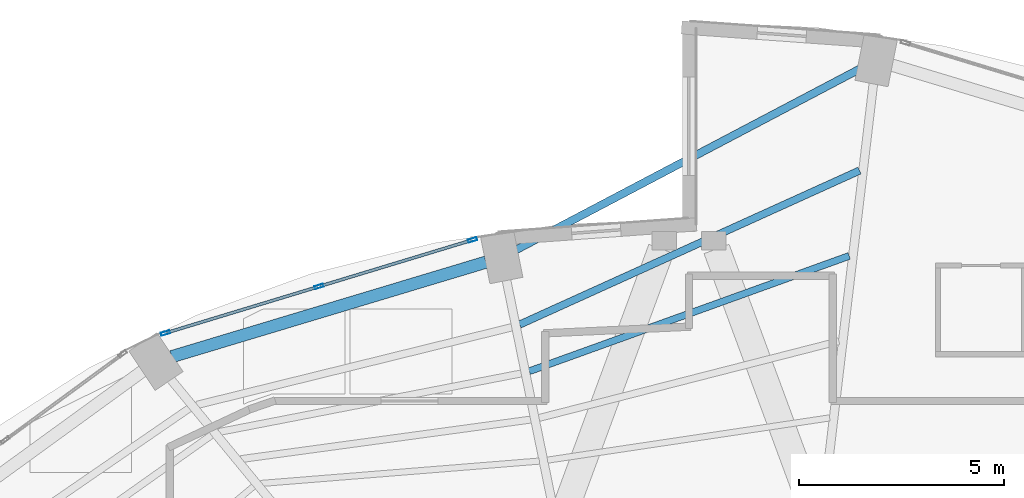
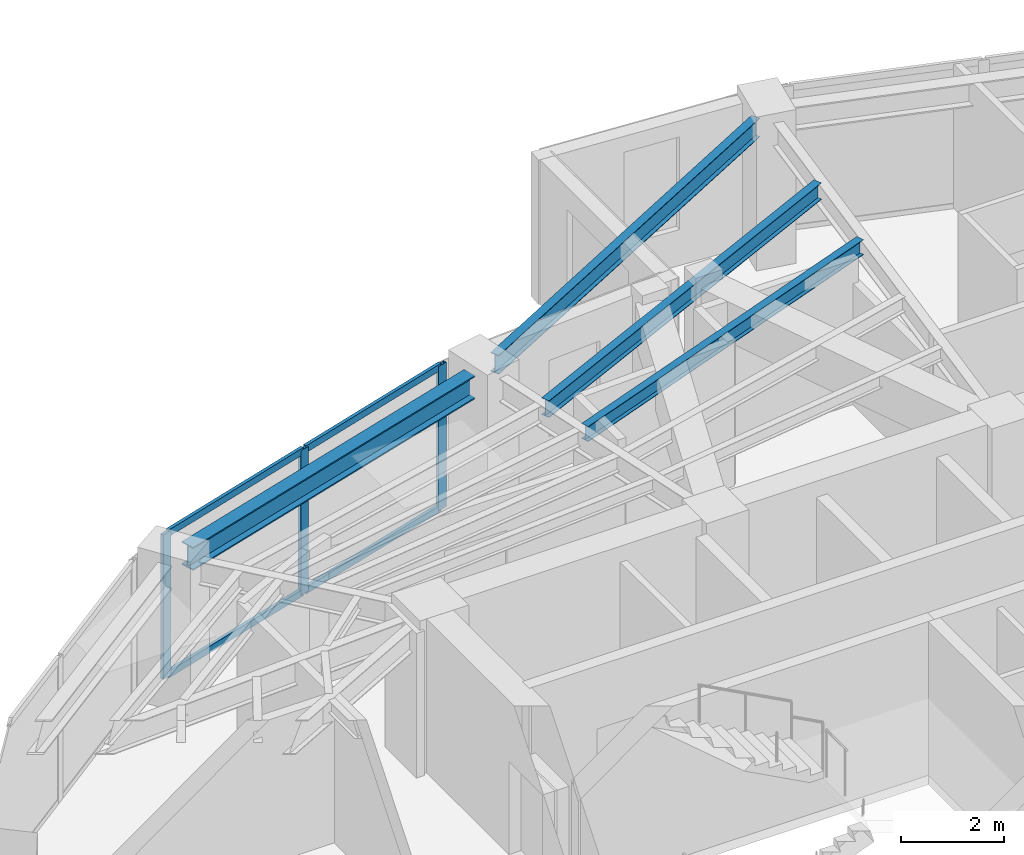
# One storey, part 12 of 19: 7 members, 4 beams, 1 element without a shape of its own.
"""IFC4 building model written with IfcOpenShell, lengths in metres."""

from ifc_helpers import new_model, si_unit, direction, frame, origin, origin_2d, place, context, subcontext, project, spatial, hollow_rectangle, i_section, extrude, material, layer, layer_set, material_profile, profile_set, type_object, element, aggregate, save


model = new_model("IFC4")

# Units and contexts
model_context = context("Model", 3, precision=1e-05, world=origin(), true_north=direction((0.0, 1.0)))
body_context = subcontext(model_context, "Body", "Model", "MODEL_VIEW")
ifc_project = project(units=[si_unit("LENGTHUNIT", "METRE"), si_unit("AREAUNIT", "SQUARE_METRE"), si_unit("VOLUMEUNIT", "CUBIC_METRE"), si_unit("PLANEANGLEUNIT", "RADIAN"), si_unit("MASSUNIT", "GRAM", prefix="KILO")], contexts=[model_context])

# Site, building, storey
site_placement = place(None, origin())
site = spatial("IfcSite", under=ifc_project, at=site_placement, CompositionType="ELEMENT")
building_placement = place(site_placement, origin())
building = spatial("IfcBuilding", under=site, at=building_placement, Name="Lazwardi Medical Tower", CompositionType="ELEMENT")
storey_placement = place(building_placement, frame((0.0, 0.0, 163.823974609375)))
storey = spatial("IfcBuildingStorey", under=building, at=storey_placement, Name="L42", CompositionType="ELEMENT", Elevation=163.823974609375)

# Beams
ifc_material_1 = material(Name="Steel S355", Category="steel")
ifc_material_profile_1 = material_profile(ifc_material_1, i_section(OverallWidth=0.300048828125, OverallDepth=0.550048828125, WebThickness=0.014892578125, FlangeThickness=0.029052734375, at=origin_2d()), Name="HEB 550")
ifc_profile_set_1 = profile_set([ifc_material_profile_1], Name="Steel S355")
beam_type_1 = type_object("IfcBeamType", Name="BM-RB-Z3", PredefinedType="BEAM", material=ifc_profile_set_1)
beam_1_placement = place(storey_placement, frame((31.056884765625, 42.133544921875, 3.153076171875), z_axis=(-0.957616873483, -0.288045002771, 0.0), x_axis=(0.288045002771, -0.957616873483, 0.0)))
element("IfcBeam", 1, at=beam_1_placement, inside=storey, type_object=beam_type_1, Name="Ring beam RB-04 B09 L42", PredefinedType="BEAM", context=body_context, shape_type="SweptSolid", body=[
    extrude(i_section(OverallWidth=0.300048828125, OverallDepth=0.550048828125, WebThickness=0.014892578125, FlangeThickness=0.029052734375, at=origin_2d()), origin(), (0.0, 0.0, 1.0), 7.99951171875),
])
ifc_material_profile_2 = material_profile(ifc_material_1, i_section(OverallWidth=0.179931640625, OverallDepth=0.39990234375, WebThickness=0.008544921875, FlangeThickness=0.013427734375, at=origin_2d()), Name="IPE 400")
ifc_profile_set_2 = profile_set([ifc_material_profile_2], Name="Steel S355")
beam_type_2 = type_object("IfcBeamType", Name="BM-SJ-01", PredefinedType="JOIST", material=ifc_profile_set_2)
beam_2_placement = place(storey_placement, frame((40.155029296875, 44.3642578125, 3.22802734375), z_axis=(-0.910834000674, -0.412772846995, 0.0), x_axis=(0.412772846995, -0.910834000674, 0.0)))
element("IfcBeam", 2, at=beam_2_placement, inside=storey, type_object=beam_type_2, Name="Secondary joist SJ-01 R1 B08 L42", PredefinedType="JOIST", context=body_context, shape_type="SweptSolid", body=[
    extrude(i_section(OverallWidth=0.179931640625, OverallDepth=0.39990234375, WebThickness=0.008544921875, FlangeThickness=0.013427734375, at=origin_2d()), origin(), (0.0, 0.0, 1.0), 9.09130859375),
])
ifc_material_profile_3 = material_profile(ifc_material_1, i_section(OverallWidth=0.169921875, OverallDepth=0.360107421875, WebThickness=0.008056640625, FlangeThickness=0.0126953125, at=origin_2d()), Name="IPE 360")
ifc_profile_set_3 = profile_set([ifc_material_profile_3], Name="Steel S355")
beam_type_3 = type_object("IfcBeamType", Name="BM-SJ-02", PredefinedType="JOIST", material=ifc_profile_set_3)
beam_3_placement = place(storey_placement, frame((39.904052734375, 42.284423828125, 3.248046875), z_axis=(-0.940747993319, -0.339106492221, 0.0), x_axis=(0.339106492221, -0.940747993319, 0.0)))
element("IfcBeam", 3, at=beam_3_placement, inside=storey, type_object=beam_type_3, Name="Secondary joist SJ-02 R2 B08 L42", PredefinedType="JOIST", context=body_context, shape_type="SweptSolid", body=[
    extrude(i_section(OverallWidth=0.169921875, OverallDepth=0.360107421875, WebThickness=0.008056640625, FlangeThickness=0.0126953125, at=origin_2d()), origin(), (0.0, 0.0, 1.0), 8.28662109375),
])
ifc_material_profile_4 = material_profile(ifc_material_1, i_section(OverallWidth=0.18994140625, OverallDepth=0.449951171875, WebThickness=0.009521484375, FlangeThickness=0.0146484375, at=origin_2d()), Name="IPE 450")
ifc_profile_set_4 = profile_set([ifc_material_profile_4], Name="Steel S355")
beam_type_4 = type_object("IfcBeamType", Name="BM-SP-01", PredefinedType="SPANDREL", material=ifc_profile_set_4)
beam_4_placement = place(storey_placement, frame((40.206298828125, 46.862548828125, 3.203125), z_axis=(-0.884926578414, -0.465730556026, 0.0), x_axis=(0.465730556026, -0.884926578414, 0.0)))
element("IfcBeam", 4, at=beam_4_placement, inside=storey, type_object=beam_type_4, Name="Spandrel beam SP-01 B08 L42", PredefinedType="SPANDREL", context=body_context, shape_type="SweptSolid", body=[
    extrude(i_section(OverallWidth=0.18994140625, OverallDepth=0.449951171875, WebThickness=0.009521484375, FlangeThickness=0.0146484375, at=origin_2d()), origin(), (0.0, 0.0, 1.0), 9.506591796875),
])

# Curtain wall, members
ifc_material_2 = material(Name="Anodised bronze aluminium and solar control glazing", Category="aluminium")
ifc_layer = layer(ifc_material_2, 0.195068359375)
ifc_layer_set = layer_set([ifc_layer], Name="Anodised bronze aluminium and solar control glazing")
curtain_wall_type = type_object("IfcCurtainWallType", Name="CW-SYS-03", PredefinedType="NOTDEFINED", material=ifc_layer_set)
curtain_wall_placement = place(storey_placement, origin())
curtain_wall = element("IfcCurtainWall", 5, at=curtain_wall_placement, inside=storey, type_object=curtain_wall_type, Name="L42 Unitised bronze curtain wall CW-03", PredefinedType="NOTDEFINED")
ifc_material_3 = material(Name="Anodised bronze aluminium", Category="aluminium")
ifc_material_profile_5 = material_profile(ifc_material_3, hollow_rectangle(XDim=0.074951171875, YDim=0.219970703125, WallThickness=0.00390625, at=origin_2d()), Name="ALU-MULLION 220x75x4")
ifc_profile_set_5 = profile_set([ifc_material_profile_5], Name="Anodised bronze aluminium")
member_type_1 = type_object("IfcMemberType", Name="CW-MUL-01", PredefinedType="MULLION", material=ifc_profile_set_5)
member_1_placement = place(storey_placement, frame((30.72802734375, 42.674072265625, 0.0), z_axis=(0.0, 0.0, 1.0), x_axis=(0.290280785441, -0.956941516292, 0.0)))
member_1 = element("IfcMember", 6, at=member_1_placement, type_object=member_type_1, Name="CW-03 mullion 1", PredefinedType="MULLION", context=body_context, shape_type="SweptSolid", body=[
    extrude(hollow_rectangle(XDim=0.074951171875, YDim=0.219970703125, WallThickness=0.00390625, at=origin_2d()), origin(), (0.0, 0.0, 1.0), 3.427978515625),
])
member_2_placement = place(storey_placement, frame((26.98486328125, 41.538818359375, 0.0), z_axis=(0.0, 0.0, 1.0), x_axis=(0.290280785441, -0.956941516292, 0.0)))
member_2 = element("IfcMember", 7, at=member_2_placement, type_object=member_type_1, Name="CW-03 mullion 2", PredefinedType="MULLION", context=body_context, shape_type="SweptSolid", body=[
    extrude(hollow_rectangle(XDim=0.074951171875, YDim=0.219970703125, WallThickness=0.00390625, at=origin_2d()), origin(), (0.0, 0.0, 1.0), 3.427978515625),
])
member_3_placement = place(storey_placement, frame((23.241943359375, 40.4033203125, 0.0), z_axis=(0.0, 0.0, 1.0), x_axis=(0.290280785441, -0.956941516292, 0.0)))
member_3 = element("IfcMember", 8, at=member_3_placement, type_object=member_type_1, Name="CW-03 mullion 3", PredefinedType="MULLION", context=body_context, shape_type="SweptSolid", body=[
    extrude(hollow_rectangle(XDim=0.074951171875, YDim=0.219970703125, WallThickness=0.00390625, at=origin_2d()), origin(), (0.0, 0.0, 1.0), 3.427978515625),
])
ifc_material_profile_6 = material_profile(ifc_material_3, hollow_rectangle(XDim=0.074951171875, YDim=0.159912109375, WallThickness=0.00390625, at=origin_2d()), Name="ALU-TRANSOM 160x75x4")
ifc_profile_set_6 = profile_set([ifc_material_profile_6], Name="Anodised bronze aluminium")
member_type_2 = type_object("IfcMemberType", Name="CW-TRN-01", PredefinedType="USERDEFINED", material=ifc_profile_set_6)
member_4_placement = place(storey_placement, frame((30.692138671875, 42.663330078125, 0.03759765625), z_axis=(-0.956935517424, -0.290300560612, 0.0), x_axis=(0.290300560612, -0.956935517424, 0.0)))
member_4 = element("IfcMember", 9, at=member_4_placement, type_object=member_type_2, Name="CW-03 transom 1.1", ObjectType="TRANSOM", PredefinedType="USERDEFINED", context=body_context, shape_type="SweptSolid", body=[
    extrude(hollow_rectangle(XDim=0.074951171875, YDim=0.159912109375, WallThickness=0.00390625, at=origin_2d()), origin(), (0.0, 0.0, 1.0), 3.836669921875),
])
member_5_placement = place(storey_placement, frame((30.692138671875, 42.663330078125, 3.390625), z_axis=(-0.956935517424, -0.290300560612, 0.0), x_axis=(0.290300560612, -0.956935517424, 0.0)))
member_5 = element("IfcMember", 10, at=member_5_placement, type_object=member_type_2, Name="CW-03 transom 1.2", ObjectType="TRANSOM", PredefinedType="USERDEFINED", context=body_context, shape_type="SweptSolid", body=[
    extrude(hollow_rectangle(XDim=0.074951171875, YDim=0.159912109375, WallThickness=0.00390625, at=origin_2d()), origin(), (0.0, 0.0, 1.0), 3.836669921875),
])
member_6_placement = place(storey_placement, frame((26.948974609375, 41.52783203125, 0.03759765625), z_axis=(-0.956930154175, -0.290318239233, 0.0), x_axis=(0.290318239233, -0.956930154175, 0.0)))
member_6 = element("IfcMember", 11, at=member_6_placement, type_object=member_type_2, Name="CW-03 transom 2.1", ObjectType="TRANSOM", PredefinedType="USERDEFINED", context=body_context, shape_type="SweptSolid", body=[
    extrude(hollow_rectangle(XDim=0.074951171875, YDim=0.159912109375, WallThickness=0.00390625, at=origin_2d()), origin(), (0.0, 0.0, 1.0), 3.83642578125),
])
member_7_placement = place(storey_placement, frame((26.948974609375, 41.52783203125, 3.390625), z_axis=(-0.956930154175, -0.290318239233, 0.0), x_axis=(0.290318239233, -0.956930154175, 0.0)))
member_7 = element("IfcMember", 12, at=member_7_placement, type_object=member_type_2, Name="CW-03 transom 2.2", ObjectType="TRANSOM", PredefinedType="USERDEFINED", context=body_context, shape_type="SweptSolid", body=[
    extrude(hollow_rectangle(XDim=0.074951171875, YDim=0.159912109375, WallThickness=0.00390625, at=origin_2d()), origin(), (0.0, 0.0, 1.0), 3.83642578125),
])
aggregate(curtain_wall, [member_1, member_2, member_3, member_4, member_5, member_6, member_7])

save(model, "model.ifc")
